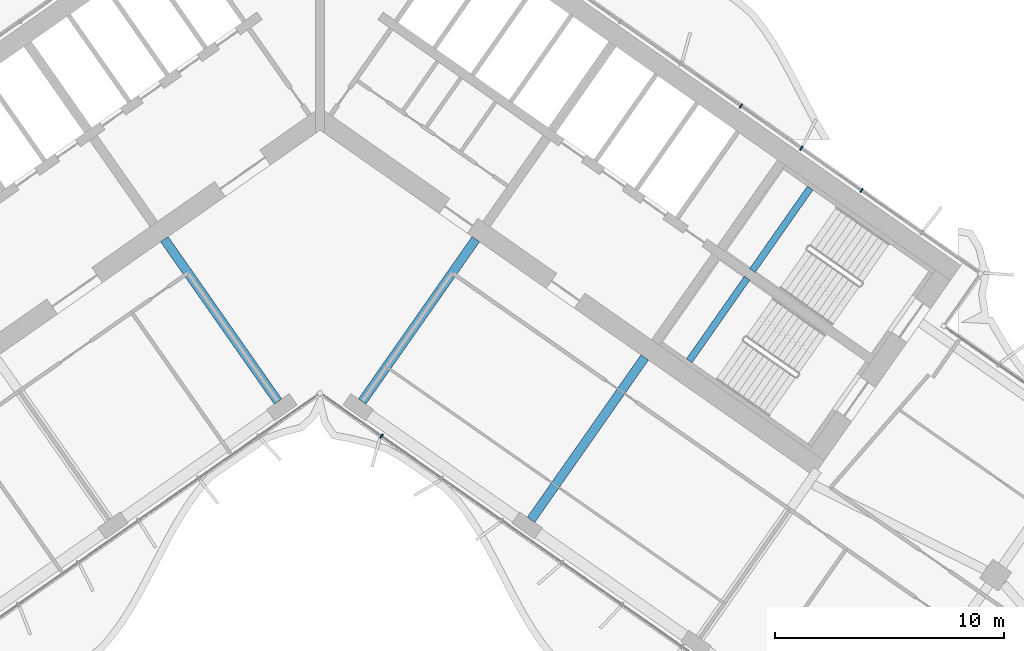
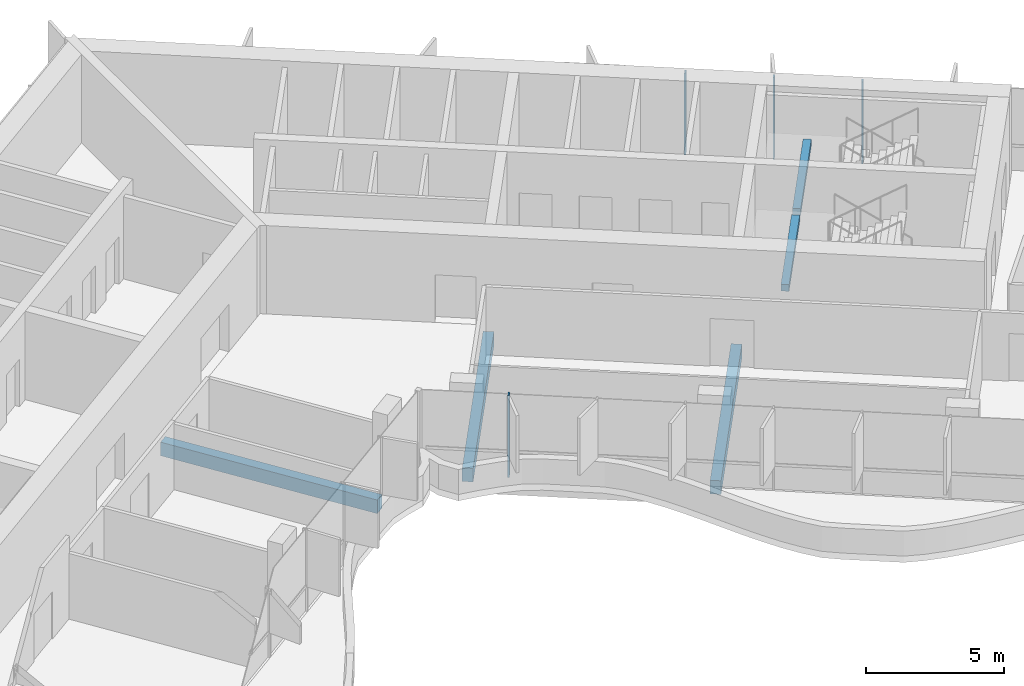
# One storey, part 7 of 23: 5 beams, 4 members, 2 elements without a shape of their own.
"""IFC4 building model written with IfcOpenShell, lengths in metres."""

from ifc_helpers import new_model, si_unit, direction, frame, origin, origin_2d, place, context, subcontext, project, spatial, rectangle, extrude, material, material_profile, profile_set, type_object, element, aggregate, save


model = new_model("IFC4")

# Units and contexts
model_context = context("Model", 3, precision=1e-05, world=origin(), true_north=direction((0.0, 1.0)))
body_context = subcontext(model_context, "Body", "Model", "MODEL_VIEW")
ifc_project = project(units=[si_unit("LENGTHUNIT", "METRE"), si_unit("AREAUNIT", "SQUARE_METRE"), si_unit("VOLUMEUNIT", "CUBIC_METRE"), si_unit("PLANEANGLEUNIT", "RADIAN"), si_unit("MASSUNIT", "GRAM", prefix="KILO")], contexts=[model_context])

# Site, building, storey
site_placement = place(None, origin())
site = spatial("IfcSite", under=ifc_project, at=site_placement, CompositionType="ELEMENT")
building_placement = place(site_placement, origin())
building = spatial("IfcBuilding", under=site, at=building_placement, Name="Tel Ilan Convention Tower", CompositionType="ELEMENT")
storey_placement = place(building_placement, frame((0.0, 0.0, 182.699951171875)))
storey = spatial("IfcBuildingStorey", under=building, at=storey_placement, Name="L42", CompositionType="ELEMENT", Elevation=182.699951171875)

# Beams
ifc_material_1 = material(Name="Concrete C40/50", Category="concrete")
ifc_material_profile_1 = material_profile(ifc_material_1, rectangle(XDim=0.39990234375, YDim=0.60009765625, at=origin_2d()), Name="RC 400x600")
ifc_profile_set_1 = profile_set([ifc_material_profile_1], Name="Concrete C40/50")
beam_type_1 = type_object("IfcBeamType", Name="Beam RC 400x600 Concrete C40/50", PredefinedType="BEAM", material=ifc_profile_set_1)
for number, where, z_axis, x_axis, name in (
    (1, (-1.83740234375, -13.06689453125, -0.579833984375), (-0.573574099654, 0.819153680457, 0.0), (-0.819153680457, -0.573574099654, 0.0), "L42 beam W-W-F1-core"),
    (2, (1.83740234375, -13.06689453125, -0.579833984375), (0.573574099654, 0.819153680457, 0.0), (-0.819153680457, 0.573574099654, 0.0), "L42 beam E-E-F1-core"),
    (3, (9.209716796875, -18.229248046875, -0.579833984375), (0.573574099654, 0.819153680457, 0.0), (-0.819153680457, 0.573574099654, 0.0), "L42 beam E-E-F2-core"),
):
    element("IfcBeam", number, at=place(storey_placement, frame(where, z_axis=z_axis, x_axis=x_axis)), inside=storey, type_object=beam_type_1, Name=name, PredefinedType="BEAM", context=body_context, shape_type="SweptSolid", body=[
        extrude(rectangle(XDim=0.39990234375, YDim=0.60009765625, at=origin_2d()), origin(), (0.0, 0.0, 1.0), 8.64990234375),
    ])

# Curtain wall, members
ifc_material_2 = material(Name="Aluminium, bronze anodised", Category="aluminium")
curtain_wall_type_1 = type_object("IfcCurtainWallType", Name="CW2 STICK CURTAIN WALL, SPANDREL PANELS", PredefinedType="NOTDEFINED", material=ifc_material_2)
curtain_wall_1_placement = place(storey_placement, origin())
curtain_wall_1 = element("IfcCurtainWall", 4, at=curtain_wall_1_placement, inside=storey, type_object=curtain_wall_type_1, Name="Curtain wall CW2-32.01", PredefinedType="NOTDEFINED")
ifc_material_3 = material(Name="Aluminium, bronze anodised", Category="aluminium")
ifc_material_profile_2 = material_profile(ifc_material_3, rectangle(XDim=0.06005859375, YDim=0.199951171875, at=origin_2d()), Name="CW MULLION 60x200")
ifc_profile_set_2 = profile_set([ifc_material_profile_2], Name="Aluminium, bronze anodised")
member_type = type_object("IfcMemberType", Name="CW MULLION 60x200", PredefinedType="MULLION", material=ifc_profile_set_2)
member_1_placement = place(storey_placement, frame((23.63623046875, -3.854248046875, 0.0), z_axis=(0.0, 0.0, 1.0), x_axis=(-0.819152044289, 0.573576436351, 0.0)))
member_1 = element("IfcMember", 5, at=member_1_placement, type_object=member_type, Name="Mullion", PredefinedType="MULLION", context=body_context, shape_type="SweptSolid", body=[
    extrude(rectangle(XDim=0.06005859375, YDim=0.199951171875, at=origin_2d()), origin(), (0.0, 0.0, 1.0), 3.6201171875),
])
member_2_placement = place(storey_placement, frame((21.003662109375, -2.0107421875, 0.0), z_axis=(0.0, 0.0, 1.0), x_axis=(-0.819152044289, 0.573576436351, 0.0)))
member_2 = element("IfcMember", 6, at=member_2_placement, type_object=member_type, Name="Mullion", PredefinedType="MULLION", context=body_context, shape_type="SweptSolid", body=[
    extrude(rectangle(XDim=0.06005859375, YDim=0.199951171875, at=origin_2d()), origin(), (0.0, 0.0, 1.0), 3.6201171875),
])
member_3_placement = place(storey_placement, frame((18.37109375, -0.16748046875, 0.0), z_axis=(0.0, 0.0, 1.0), x_axis=(-0.819152044289, 0.573576436351, 0.0)))
member_3 = element("IfcMember", 7, at=member_3_placement, type_object=member_type, Name="Mullion", PredefinedType="MULLION", context=body_context, shape_type="SweptSolid", body=[
    extrude(rectangle(XDim=0.06005859375, YDim=0.199951171875, at=origin_2d()), origin(), (0.0, 0.0, 1.0), 3.6201171875),
])
aggregate(curtain_wall_1, [member_1, member_2, member_3])

# Curtain wall, member
ifc_material_4 = material(Name="Aluminium, bronze anodised", Category="aluminium")
curtain_wall_type_2 = type_object("IfcCurtainWallType", Name="CW4 STICK CURTAIN WALL, OFFICE TINTED GLASS", PredefinedType="NOTDEFINED", material=ifc_material_4)
curtain_wall_2_placement = place(storey_placement, origin())
curtain_wall_2 = element("IfcCurtainWall", 8, at=curtain_wall_2_placement, inside=storey, type_object=curtain_wall_type_2, Name="Curtain wall CW4-32.02", PredefinedType="NOTDEFINED")
member_4_placement = place(storey_placement, frame((2.6826171875, -14.574462890625, 0.0), z_axis=(0.0, 0.0, 1.0), x_axis=(0.819152044289, -0.573576436351, 0.0)))
member_4 = element("IfcMember", 9, at=member_4_placement, type_object=member_type, Name="Mullion", PredefinedType="MULLION", context=body_context, shape_type="SweptSolid", body=[
    extrude(rectangle(XDim=0.06005859375, YDim=0.199951171875, at=origin_2d()), origin(), (0.0, 0.0, 1.0), 3.6201171875),
])
aggregate(curtain_wall_2, [member_4])

# Beams
ifc_material_5 = material(Name="Concrete C40/50", Category="concrete")
ifc_material_profile_3 = material_profile(ifc_material_5, rectangle(XDim=0.300048828125, YDim=0.300048828125, at=origin_2d()), Name="RC 300x300")
ifc_profile_set_3 = profile_set([ifc_material_profile_3], Name="Concrete C40/50")
beam_type_2 = type_object("IfcBeamType", Name="Landing Beam RC 300x300 Concrete C40/50", PredefinedType="BEAM", material=ifc_profile_set_3)
beam_1_placement = place(storey_placement, frame((21.39404296875, -3.7490234375, 1.60009765625), z_axis=(-0.57354426506, -0.819174569928, 0.0), x_axis=(0.819174569928, -0.57354426506, 0.0)))
element("IfcBeam", 10, at=beam_1_placement, inside=storey, type_object=beam_type_2, Name="S3 landing beam L42.1", PredefinedType="BEAM", context=body_context, shape_type="SweptSolid", body=[
    extrude(rectangle(XDim=0.300048828125, YDim=0.300048828125, at=origin_2d()), origin(), (0.0, 0.0, 1.0), 4.400146484375),
])
beam_2_placement = place(storey_placement, frame((18.640869140625, -7.68115234375, 1.60009765625), z_axis=(-0.573570334442, -0.819156316858, 0.0), x_axis=(0.819156316858, -0.573570334442, 0.0)))
element("IfcBeam", 11, at=beam_2_placement, inside=storey, type_object=beam_type_2, Name="S4 landing beam L42.1", PredefinedType="BEAM", context=body_context, shape_type="SweptSolid", body=[
    extrude(rectangle(XDim=0.300048828125, YDim=0.300048828125, at=origin_2d()), origin(), (0.0, 0.0, 1.0), 4.39990234375),
])

save(model, "model.ifc")
